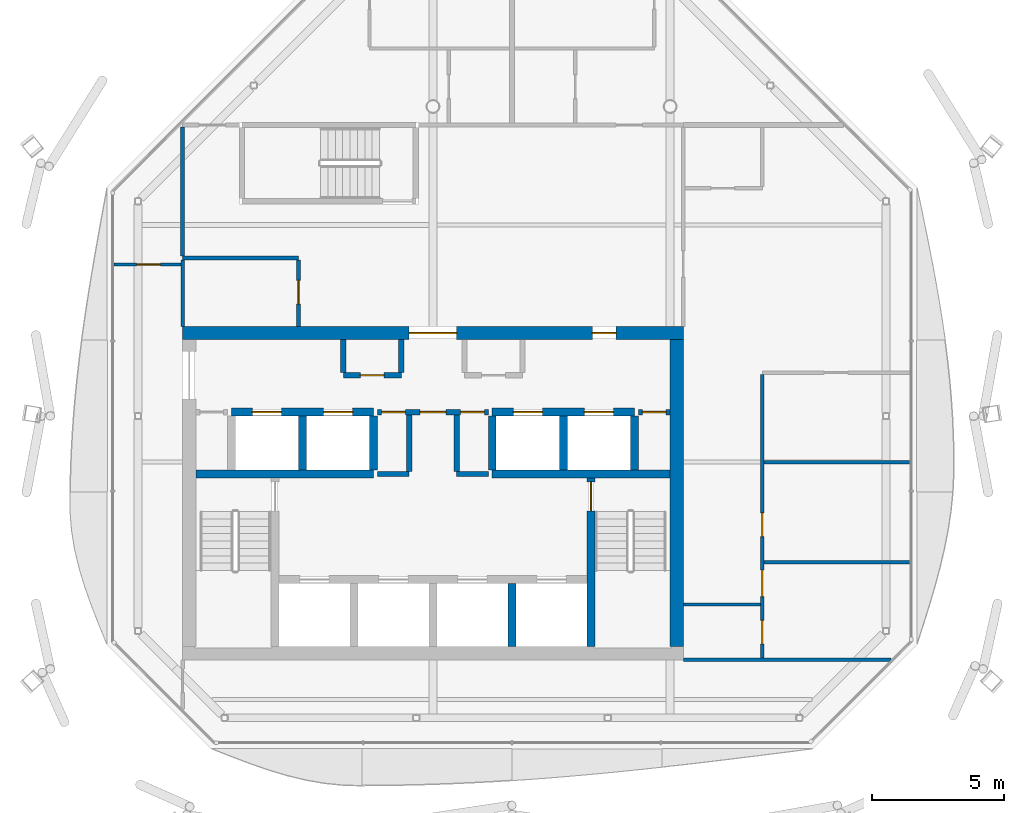
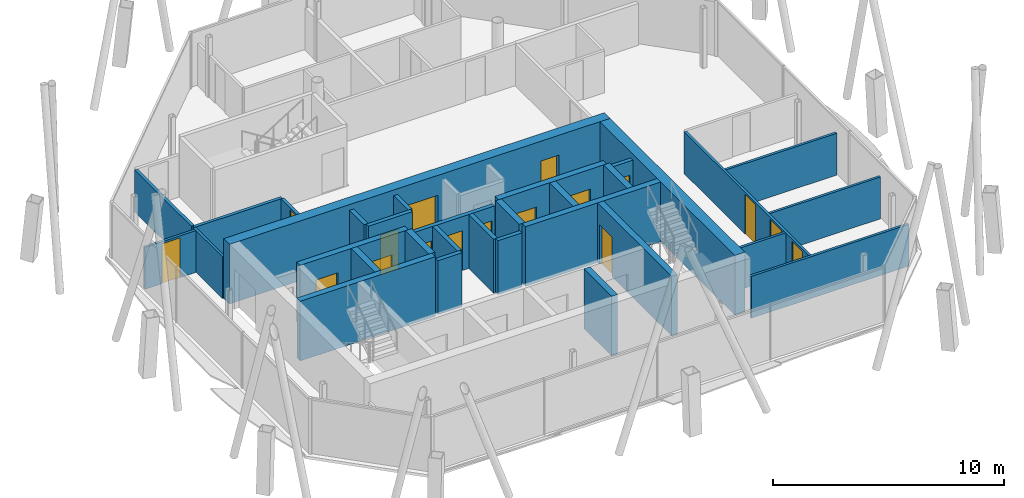
# One storey, part 10 of 14: 32 walls, 17 doors, 17 openings.
"""IFC4 building model written with IfcOpenShell, lengths in metres."""

from ifc_helpers import new_model, si_unit, direction, frame, frame_2d, origin, place, context, subcontext, project, spatial, rectangle, extrude, material, layer, layer_set, type_object, element, fill, save


model = new_model("IFC4")

# Units and contexts
model_context = context("Model", 3, precision=1e-05, world=origin(), true_north=direction((0.0, 1.0)))
body_context = subcontext(model_context, "Body", "Model", "MODEL_VIEW")
ifc_project = project(units=[si_unit("LENGTHUNIT", "METRE"), si_unit("AREAUNIT", "SQUARE_METRE"), si_unit("VOLUMEUNIT", "CUBIC_METRE"), si_unit("PLANEANGLEUNIT", "RADIAN"), si_unit("MASSUNIT", "GRAM", prefix="KILO")], contexts=[model_context])

# Site, building, storey
site_placement = place(None, origin())
site = spatial("IfcSite", under=ifc_project, at=site_placement, CompositionType="ELEMENT")
building_placement = place(site_placement, origin())
building = spatial("IfcBuilding", under=site, at=building_placement, Name="Tskaro Facet Tower", CompositionType="ELEMENT")
storey_placement = place(building_placement, frame((0.0, 0.0, 287.85009765625)))
storey = spatial("IfcBuildingStorey", under=building, at=storey_placement, Name="L77", CompositionType="ELEMENT", Elevation=287.85009765625)

# Walls
ifc_material_1 = material(Name="Concrete C60/75", Category="concrete")
ifc_layer_1 = layer(ifc_material_1, 0.300048828125, Name="Concrete C60/75")
ifc_layer_set_1 = layer_set([ifc_layer_1], Name="Concrete C60/75")
wall_type_1 = type_object("IfcWallType", Name="CORE-SHAFT", PredefinedType="SHEAR", material=ifc_layer_set_1)
for number, where, z_axis, x_axis, name in (
    (1, (-9.0, -4.949951171875, 0.0), (0.0, 0.0, 1.0), (1.0, 0.0, 0.0), "Shaft wall W005"),
    (2, (2.25, -4.949951171875, 0.0), (0.0, 0.0, 1.0), (1.0, 0.0, 0.0), "Shaft wall W008"),
):
    element("IfcWall", number, at=place(storey_placement, frame(where, z_axis=z_axis, x_axis=x_axis)), inside=storey, type_object=wall_type_1, Name=name, PredefinedType="SHEAR", context=body_context, shape_type="SweptSolid", body=[
        extrude(rectangle(XDim=6.75, YDim=0.300048828125, at=frame_2d((3.375, 0.0))), origin(), (0.0, 0.0, 1.0), 3.14990234375),
    ])

# Wall, openings, doors
wall_1_placement = place(storey_placement, frame((-7.64990234375, -2.60009765625, 0.0), z_axis=(0.0, 0.0, 1.0), x_axis=(1.0, 0.0, 0.0)))
wall_1 = element("IfcWall", 3, at=wall_1_placement, inside=storey, type_object=wall_type_1, Name="Shaft wall W011", PredefinedType="SHEAR", context=body_context, shape_type="SweptSolid", body=[
    extrude(rectangle(XDim=5.39990234375, YDim=0.300048828125, at=frame_2d((2.699951171875, 0.0))), origin(), (0.0, 0.0, 1.0), 3.14990234375),
])
opening_1_placement = place(wall_1_placement, frame((0.800048828125, 0.0, 0.0)))
opening_1 = element("IfcOpeningElement", 4, at=opening_1_placement, cuts=wall_1, Name="Opening LD-HB1", PredefinedType="OPENING", context=body_context, shape_type="SweptSolid", body=[
    extrude(rectangle(XDim=1.10009765625, YDim=2.10009765625, at=frame_2d((0.550048828125, 1.050048828125))), frame((0.0, 0.159912109375, 0.0), z_axis=(0.0, -1.0, 0.0), x_axis=(1.0, 0.0, 0.0)), (0.0, 0.0, 1.0), 0.320068359375),
])
opening_2_placement = place(wall_1_placement, frame((3.5, 0.0, 0.0)))
opening_2 = element("IfcOpeningElement", 5, at=opening_2_placement, cuts=wall_1, Name="Opening LD-HB2", PredefinedType="OPENING", context=body_context, shape_type="SweptSolid", body=[
    extrude(rectangle(XDim=1.10009765625, YDim=2.10009765625, at=frame_2d((0.550048828125, 1.050048828125))), frame((0.0, 0.159912109375, 0.0), z_axis=(0.0, -1.0, 0.0), x_axis=(1.0, 0.0, 0.0)), (0.0, 0.0, 1.0), 0.320068359375),
])
ifc_material_2 = material(Name="Stainless steel", Category="steel")
door_type_1 = type_object("IfcDoorType", Name="D-LANDING", OperationType="NOTDEFINED", PredefinedType="DOOR", material=ifc_material_2)
door_1_placement = place(opening_1_placement, origin())
door_1 = element("IfcDoor", 6, at=door_1_placement, inside=storey, type_object=door_type_1, Name="Landing door HB1", OperationType="DOUBLE_DOOR_SLIDING", OverallHeight=2.10009765625, OverallWidth=1.10009765625, PredefinedType="DOOR", context=body_context, shape_type="SweptSolid", body=[
    extrude(rectangle(XDim=1.10009765625, YDim=2.10009765625, at=frame_2d((0.550048828125, 1.050048828125))), frame((0.0, 0.02490234375, 0.0), z_axis=(0.0, -1.0, 0.0), x_axis=(1.0, 0.0, 0.0)), (0.0, 0.0, 1.0), 0.050048828125),
])
fill(opening_1, door_1)
door_2_placement = place(opening_2_placement, origin())
door_2 = element("IfcDoor", 7, at=door_2_placement, inside=storey, type_object=door_type_1, Name="Landing door HB2", OperationType="DOUBLE_DOOR_SLIDING", OverallHeight=2.10009765625, OverallWidth=1.10009765625, PredefinedType="DOOR", context=body_context, shape_type="SweptSolid", body=[
    extrude(rectangle(XDim=1.10009765625, YDim=2.10009765625, at=frame_2d((0.550048828125, 1.050048828125))), frame((0.0, 0.02490234375, 0.0), z_axis=(0.0, -1.0, 0.0), x_axis=(1.0, 0.0, 0.0)), (0.0, 0.0, 1.0), 0.050048828125),
])
fill(opening_2, door_2)

wall_2_placement = place(storey_placement, frame((2.25, -2.60009765625, 0.0), z_axis=(0.0, 0.0, 1.0), x_axis=(1.0, 0.0, 0.0)))
wall_2 = element("IfcWall", 8, at=wall_2_placement, inside=storey, type_object=wall_type_1, Name="Shaft wall W013", PredefinedType="SHEAR", context=body_context, shape_type="SweptSolid", body=[
    extrude(rectangle(XDim=5.39990234375, YDim=0.300048828125, at=frame_2d((2.699951171875, 0.0))), origin(), (0.0, 0.0, 1.0), 3.14990234375),
])
opening_3_placement = place(wall_2_placement, frame((0.800048828125, 0.0, 0.0)))
opening_3 = element("IfcOpeningElement", 9, at=opening_3_placement, cuts=wall_2, Name="Opening LD-HB3", PredefinedType="OPENING", context=body_context, shape_type="SweptSolid", body=[
    extrude(rectangle(XDim=1.10009765625, YDim=2.10009765625, at=frame_2d((0.550048828125, 1.050048828125))), frame((0.0, 0.159912109375, 0.0), z_axis=(0.0, -1.0, 0.0), x_axis=(1.0, 0.0, 0.0)), (0.0, 0.0, 1.0), 0.320068359375),
])
opening_4_placement = place(wall_2_placement, frame((3.5, 0.0, 0.0)))
opening_4 = element("IfcOpeningElement", 10, at=opening_4_placement, cuts=wall_2, Name="Opening LD-HB4", PredefinedType="OPENING", context=body_context, shape_type="SweptSolid", body=[
    extrude(rectangle(XDim=1.10009765625, YDim=2.10009765625, at=frame_2d((0.550048828125, 1.050048828125))), frame((0.0, 0.159912109375, 0.0), z_axis=(0.0, -1.0, 0.0), x_axis=(1.0, 0.0, 0.0)), (0.0, 0.0, 1.0), 0.320068359375),
])
door_3_placement = place(opening_3_placement, origin())
door_3 = element("IfcDoor", 11, at=door_3_placement, inside=storey, type_object=door_type_1, Name="Landing door HB3", OperationType="DOUBLE_DOOR_SLIDING", OverallHeight=2.10009765625, OverallWidth=1.10009765625, PredefinedType="DOOR", context=body_context, shape_type="SweptSolid", body=[
    extrude(rectangle(XDim=1.10009765625, YDim=2.10009765625, at=frame_2d((0.550048828125, 1.050048828125))), frame((0.0, 0.02490234375, 0.0), z_axis=(0.0, -1.0, 0.0), x_axis=(1.0, 0.0, 0.0)), (0.0, 0.0, 1.0), 0.050048828125),
])
fill(opening_3, door_3)
door_4_placement = place(opening_4_placement, origin())
door_4 = element("IfcDoor", 12, at=door_4_placement, inside=storey, type_object=door_type_1, Name="Landing door HB4", OperationType="DOUBLE_DOOR_SLIDING", OverallHeight=2.10009765625, OverallWidth=1.10009765625, PredefinedType="DOOR", context=body_context, shape_type="SweptSolid", body=[
    extrude(rectangle(XDim=1.10009765625, YDim=2.10009765625, at=frame_2d((0.550048828125, 1.050048828125))), frame((0.0, 0.02490234375, 0.0), z_axis=(0.0, -1.0, 0.0), x_axis=(1.0, 0.0, 0.0)), (0.0, 0.0, 1.0), 0.050048828125),
])
fill(opening_4, door_4)

# Walls
for number, where, z_axis, x_axis, name in (
    (13, (-4.949951171875, -4.800048828125, 0.0), (0.0, 0.0, 1.0), (0.0, 1.0, 0.0), "Shaft wall W034"),
    (14, (-2.25, -4.800048828125, 0.0), (0.0, 0.0, 1.0), (0.0, 1.0, 0.0), "Shaft wall W039"),
    (15, (2.25, -4.800048828125, 0.0), (0.0, 0.0, 1.0), (0.0, 1.0, 0.0), "Shaft wall W047"),
):
    element("IfcWall", number, at=place(storey_placement, frame(where, z_axis=z_axis, x_axis=x_axis)), inside=storey, type_object=wall_type_1, Name=name, PredefinedType="SHEAR", context=body_context, shape_type="SweptSolid", body=[
        extrude(rectangle(XDim=2.050048828125, YDim=0.300048828125, at=frame_2d((1.02490234375, 0.0))), origin(), (0.0, 0.0, 1.0), 3.14990234375),
    ])
wall_3_placement = place(storey_placement, frame((3.0, -11.5, 0.0), z_axis=(0.0, 0.0, 1.0), x_axis=(0.0, 1.0, 0.0)))
element("IfcWall", 16, at=wall_3_placement, inside=storey, type_object=wall_type_1, Name="Shaft wall W048", PredefinedType="SHEAR", context=body_context, shape_type="SweptSolid", body=[
    extrude(rectangle(XDim=2.39990234375, YDim=0.300048828125, at=frame_2d((1.199951171875, 0.0))), origin(), (0.0, 0.0, 1.0), 3.14990234375),
])
wall_4_placement = place(storey_placement, frame((4.949951171875, -4.800048828125, 0.0), z_axis=(0.0, 0.0, 1.0), x_axis=(0.0, 1.0, 0.0)))
element("IfcWall", 17, at=wall_4_placement, inside=storey, type_object=wall_type_1, Name="Shaft wall W052", PredefinedType="SHEAR", context=body_context, shape_type="SweptSolid", body=[
    extrude(rectangle(XDim=2.050048828125, YDim=0.300048828125, at=frame_2d((1.02490234375, 0.0))), origin(), (0.0, 0.0, 1.0), 3.14990234375),
])

# Wall, opening, door
wall_5_placement = place(storey_placement, frame((6.0, -5.10009765625, 0.0), z_axis=(0.0, 0.0, 1.0), x_axis=(0.0, -1.0, 0.0)))
wall_5 = element("IfcWall", 18, at=wall_5_placement, inside=storey, type_object=wall_type_1, Name="Shaft wall W054", PredefinedType="SHEAR", context=body_context, shape_type="SweptSolid", body=[
    extrude(rectangle(XDim=6.39990234375, YDim=0.300048828125, at=frame_2d((3.199951171875, 0.0))), origin(), (0.0, 0.0, 1.0), 3.14990234375),
])
opening_5_placement = place(wall_5_placement, frame((0.14990234375, 0.0, 0.0)))
opening_5 = element("IfcOpeningElement", 19, at=opening_5_placement, cuts=wall_5, Name="Opening ST-2-D1", PredefinedType="OPENING", context=body_context, shape_type="SweptSolid", body=[
    extrude(rectangle(XDim=1.10009765625, YDim=2.10009765625, at=frame_2d((0.550048828125, 1.050048828125))), frame((0.0, 0.159912109375, 0.0), z_axis=(0.0, -1.0, 0.0), x_axis=(1.0, 0.0, 0.0)), (0.0, 0.0, 1.0), 0.320068359375),
])
ifc_material_3 = material(Name="Steel", Category="steel")
door_type_2 = type_object("IfcDoorType", Name="D-STAIR", OperationType="NOTDEFINED", PredefinedType="DOOR", material=ifc_material_3)
door_5_placement = place(opening_5_placement, origin())
door_5 = element("IfcDoor", 20, at=door_5_placement, inside=storey, type_object=door_type_2, Name="Stair door 2", OperationType="SINGLE_SWING_RIGHT", OverallHeight=2.10009765625, OverallWidth=1.10009765625, PredefinedType="DOOR", context=body_context, shape_type="SweptSolid", body=[
    extrude(rectangle(XDim=1.10009765625, YDim=2.10009765625, at=frame_2d((0.550048828125, 1.050048828125))), frame((0.0, 0.02490234375, 0.0), z_axis=(0.0, -1.0, 0.0), x_axis=(1.0, 0.0, 0.0)), (0.0, 0.0, 1.0), 0.050048828125),
])
fill(opening_5, door_5)

# Walls
wall_6_placement = place(storey_placement, frame((7.64990234375, -4.800048828125, 0.0), z_axis=(0.0, 0.0, 1.0), x_axis=(0.0, 1.0, 0.0)))
element("IfcWall", 21, at=wall_6_placement, inside=storey, type_object=wall_type_1, Name="Shaft wall W055", PredefinedType="SHEAR", context=body_context, shape_type="SweptSolid", body=[
    extrude(rectangle(XDim=2.050048828125, YDim=0.300048828125, at=frame_2d((1.02490234375, 0.0))), origin(), (0.0, 0.0, 1.0), 3.14990234375),
])
ifc_material_4 = material(Name="Concrete C20/25", Category="concrete")
ifc_layer_2 = layer(ifc_material_4, 0.199951171875, Name="Concrete C20/25")
ifc_layer_set_2 = layer_set([ifc_layer_2], Name="Concrete C20/25")
wall_type_2 = type_object("IfcWallType", Name="CORE-WALL", PredefinedType="SOLIDWALL", material=ifc_layer_set_2)
for number, where, z_axis, x_axis, name in (
    (22, (-2.10009765625, -4.949951171875, 0.0), (0.0, 0.0, 1.0), (1.0, 0.0, 0.0), "Core room wall W006"),
    (23, (0.89990234375, -4.949951171875, 0.0), (0.0, 0.0, 1.0), (1.0, 0.0, 0.0), "Core room wall W007"),
):
    element("IfcWall", number, at=place(storey_placement, frame(where, z_axis=z_axis, x_axis=x_axis)), inside=storey, type_object=wall_type_2, Name=name, PredefinedType="SOLIDWALL", context=body_context, shape_type="SweptSolid", body=[
        extrude(rectangle(XDim=1.2001953125, YDim=0.199951171875, at=frame_2d((0.60009765625, 0.0))), origin(), (0.0, 0.0, 1.0), 2.849853515625),
    ])

# Wall, openings, doors
wall_7_placement = place(storey_placement, frame((2.10009765625, -2.60009765625, 0.0), z_axis=(0.0, 0.0, 1.0), x_axis=(-1.0, 0.0, 0.0)))
wall_7 = element("IfcWall", 24, at=wall_7_placement, inside=storey, type_object=wall_type_2, Name="Core room wall W012", PredefinedType="SOLIDWALL", context=body_context, shape_type="SweptSolid", body=[
    extrude(rectangle(XDim=4.2001953125, YDim=0.199951171875, at=frame_2d((2.10009765625, 0.0))), origin(), (0.0, 0.0, 1.0), 2.849853515625),
])
opening_6_placement = place(wall_7_placement, frame((1.60009765625, 0.0, 0.0)))
opening_6 = element("IfcOpeningElement", 25, at=opening_6_placement, cuts=wall_7, Name="Opening FL-D1", PredefinedType="OPENING", context=body_context, shape_type="SweptSolid", body=[
    extrude(rectangle(XDim=1.0, YDim=2.10009765625, at=frame_2d((0.5, 1.050048828125))), frame((0.0, 0.10986328125, 0.0), z_axis=(0.0, -1.0, 0.0), x_axis=(1.0, 0.0, 0.0)), (0.0, 0.0, 1.0), 0.219970703125),
])
opening_7_placement = place(wall_7_placement, frame((3.14990234375, 0.0, 0.0)))
opening_7 = element("IfcOpeningElement", 26, at=opening_7_placement, cuts=wall_7, Name="Opening T23-D06", PredefinedType="OPENING", context=body_context, shape_type="SweptSolid", body=[
    extrude(rectangle(XDim=0.89990234375, YDim=2.10009765625, at=frame_2d((0.449951171875, 1.050048828125))), frame((0.0, 0.10986328125, 0.0), z_axis=(0.0, -1.0, 0.0), x_axis=(1.0, 0.0, 0.0)), (0.0, 0.0, 1.0), 0.219970703125),
])
opening_8_placement = place(wall_7_placement, frame((0.14990234375, 0.0, 0.0)))
opening_8 = element("IfcOpeningElement", 27, at=opening_8_placement, cuts=wall_7, Name="Opening T23-D07", PredefinedType="OPENING", context=body_context, shape_type="SweptSolid", body=[
    extrude(rectangle(XDim=0.89990234375, YDim=2.10009765625, at=frame_2d((0.449951171875, 1.050048828125))), frame((0.0, 0.10986328125, 0.0), z_axis=(0.0, -1.0, 0.0), x_axis=(1.0, 0.0, 0.0)), (0.0, 0.0, 1.0), 0.219970703125),
])
door_type_3 = type_object("IfcDoorType", Name="D-LOBBY", OperationType="NOTDEFINED", PredefinedType="DOOR", material=ifc_material_3)
door_6_placement = place(opening_6_placement, origin())
door_6 = element("IfcDoor", 28, at=door_6_placement, inside=storey, type_object=door_type_3, Name="Lobby door FL", OperationType="SINGLE_SWING_RIGHT", OverallHeight=2.10009765625, OverallWidth=1.0, PredefinedType="DOOR", context=body_context, shape_type="SweptSolid", body=[
    extrude(rectangle(XDim=1.0, YDim=2.10009765625, at=frame_2d((0.5, 1.050048828125))), frame((0.0, 0.02490234375, 0.0), z_axis=(0.0, -1.0, 0.0), x_axis=(1.0, 0.0, 0.0)), (0.0, 0.0, 1.0), 0.050048828125),
])
fill(opening_6, door_6)
ifc_material_5 = material(Name="Timber", Category="wood")
door_type_4 = type_object("IfcDoorType", Name="D-ROOM", OperationType="NOTDEFINED", PredefinedType="DOOR", material=ifc_material_5)
door_7_placement = place(opening_7_placement, origin())
door_7 = element("IfcDoor", 29, at=door_7_placement, inside=storey, type_object=door_type_4, Name="Door T23-D06", OperationType="SINGLE_SWING_RIGHT", OverallHeight=2.10009765625, OverallWidth=0.89990234375, PredefinedType="DOOR", context=body_context, shape_type="SweptSolid", body=[
    extrude(rectangle(XDim=0.89990234375, YDim=2.10009765625, at=frame_2d((0.449951171875, 1.050048828125))), frame((0.0, 0.02490234375, 0.0), z_axis=(0.0, -1.0, 0.0), x_axis=(1.0, 0.0, 0.0)), (0.0, 0.0, 1.0), 0.050048828125),
])
fill(opening_7, door_7)
door_8_placement = place(opening_8_placement, origin())
door_8 = element("IfcDoor", 30, at=door_8_placement, inside=storey, type_object=door_type_4, Name="Door T23-D07", OperationType="SINGLE_SWING_RIGHT", OverallHeight=2.10009765625, OverallWidth=0.89990234375, PredefinedType="DOOR", context=body_context, shape_type="SweptSolid", body=[
    extrude(rectangle(XDim=0.89990234375, YDim=2.10009765625, at=frame_2d((0.449951171875, 1.050048828125))), frame((0.0, 0.02490234375, 0.0), z_axis=(0.0, -1.0, 0.0), x_axis=(1.0, 0.0, 0.0)), (0.0, 0.0, 1.0), 0.050048828125),
])
fill(opening_8, door_8)

# Wall, opening, door
wall_8_placement = place(storey_placement, frame((9.0, -2.60009765625, 0.0), z_axis=(0.0, 0.0, 1.0), x_axis=(-1.0, 0.0, 0.0)))
wall_8 = element("IfcWall", 31, at=wall_8_placement, inside=storey, type_object=wall_type_2, Name="Core room wall W014", PredefinedType="SOLIDWALL", context=body_context, shape_type="SweptSolid", body=[
    extrude(rectangle(XDim=1.199951171875, YDim=0.199951171875, at=frame_2d((0.60009765625, 0.0))), origin(), (0.0, 0.0, 1.0), 2.849853515625),
])
opening_9_placement = place(wall_8_placement, frame((0.14990234375, 0.0, 0.0)))
opening_9 = element("IfcOpeningElement", 32, at=opening_9_placement, cuts=wall_8, Name="Opening T23-D08", PredefinedType="OPENING", context=body_context, shape_type="SweptSolid", body=[
    extrude(rectangle(XDim=0.89990234375, YDim=2.10009765625, at=frame_2d((0.449951171875, 1.050048828125))), frame((0.0, 0.10986328125, 0.0), z_axis=(0.0, -1.0, 0.0), x_axis=(1.0, 0.0, 0.0)), (0.0, 0.0, 1.0), 0.219970703125),
])
door_9_placement = place(opening_9_placement, origin())
door_9 = element("IfcDoor", 33, at=door_9_placement, inside=storey, type_object=door_type_4, Name="Door T23-D08", OperationType="SINGLE_SWING_RIGHT", OverallHeight=2.10009765625, OverallWidth=0.89990234375, PredefinedType="DOOR", context=body_context, shape_type="SweptSolid", body=[
    extrude(rectangle(XDim=0.89990234375, YDim=2.10009765625, at=frame_2d((0.449951171875, 1.050048828125))), frame((0.0, 0.02490234375, 0.0), z_axis=(0.0, -1.0, 0.0), x_axis=(1.0, 0.0, 0.0)), (0.0, 0.0, 1.0), 0.050048828125),
])
fill(opening_9, door_9)

wall_9_placement = place(storey_placement, frame((-3.39990234375, -1.199951171875, 0.0), z_axis=(0.0, 0.0, 1.0), x_axis=(1.0, 0.0, 0.0)))
wall_9 = element("IfcWall", 34, at=wall_9_placement, inside=storey, type_object=wall_type_2, Name="Core room wall W015", PredefinedType="SOLIDWALL", context=body_context, shape_type="SweptSolid", body=[
    extrude(rectangle(XDim=2.199951171875, YDim=0.199951171875, at=frame_2d((1.10009765625, 0.0))), origin(), (0.0, 0.0, 1.0), 2.849853515625),
])
opening_10_placement = place(wall_9_placement, frame((0.64990234375, 0.0, 0.0)))
opening_10 = element("IfcOpeningElement", 35, at=opening_10_placement, cuts=wall_9, Name="Opening T23-D10", PredefinedType="OPENING", context=body_context, shape_type="SweptSolid", body=[
    extrude(rectangle(XDim=0.89990234375, YDim=2.10009765625, at=frame_2d((0.449951171875, 1.050048828125))), frame((0.0, 0.10986328125, 0.0), z_axis=(0.0, -1.0, 0.0), x_axis=(1.0, 0.0, 0.0)), (0.0, 0.0, 1.0), 0.219970703125),
])
door_10_placement = place(opening_10_placement, origin())
door_10 = element("IfcDoor", 36, at=door_10_placement, inside=storey, type_object=door_type_4, Name="Door T23-D10", OperationType="SINGLE_SWING_LEFT", OverallHeight=2.10009765625, OverallWidth=0.89990234375, PredefinedType="DOOR", context=body_context, shape_type="SweptSolid", body=[
    extrude(rectangle(XDim=0.89990234375, YDim=2.10009765625, at=frame_2d((0.449951171875, 1.050048828125))), frame((0.0, 0.02490234375, 0.0), z_axis=(0.0, -1.0, 0.0), x_axis=(1.0, 0.0, 0.0)), (0.0, 0.0, 1.0), 0.050048828125),
])
fill(opening_10, door_10)

# Walls
for number, where, z_axis, x_axis, name in (
    (37, (-3.39990234375, -1.10009765625, 0.0), (0.0, 0.0, 1.0), (0.0, 1.0, 0.0), "Core room wall W035"),
    (38, (-1.199951171875, -1.10009765625, 0.0), (0.0, 0.0, 1.0), (0.0, 1.0, 0.0), "Core room wall W040"),
):
    element("IfcWall", number, at=place(storey_placement, frame(where, z_axis=z_axis, x_axis=x_axis)), inside=storey, type_object=wall_type_2, Name=name, PredefinedType="SOLIDWALL", context=body_context, shape_type="SweptSolid", body=[
        extrude(rectangle(XDim=1.25, YDim=0.199951171875, at=frame_2d((0.625, 0.0))), origin(), (0.0, 0.0, 1.0), 2.849853515625),
    ])
for number, where, z_axis, x_axis, name in (
    (39, (-0.89990234375, -4.85009765625, 0.0), (0.0, 0.0, 1.0), (0.0, 1.0, 0.0), "Core room wall W041"),
    (40, (0.89990234375, -4.85009765625, 0.0), (0.0, 0.0, 1.0), (0.0, 1.0, 0.0), "Core room wall W045"),
):
    element("IfcWall", number, at=place(storey_placement, frame(where, z_axis=z_axis, x_axis=x_axis)), inside=storey, type_object=wall_type_2, Name=name, PredefinedType="SOLIDWALL", context=body_context, shape_type="SweptSolid", body=[
        extrude(rectangle(XDim=2.150146484375, YDim=0.199951171875, at=frame_2d((1.0751953125, 0.0))), origin(), (0.0, 0.0, 1.0), 2.849853515625),
    ])

# Wall, openings, doors
ifc_material_6 = material(Name="Concrete C40/50", Category="concrete")
ifc_layer_3 = layer(ifc_material_6, 0.5, Name="Concrete C40/50")
ifc_layer_set_3 = layer_set([ifc_layer_3], Name="Concrete C40/50")
wall_type_3 = type_object("IfcWallType", Name="Core wall 500", PredefinedType="SHEAR", material=ifc_layer_set_3)
wall_10_placement = place(storey_placement, frame((-9.5, 0.39990234375, 0.0), z_axis=(0.0, 0.0, 1.0), x_axis=(1.0, 0.0, 0.0)))
wall_10 = element("IfcWall", 41, at=wall_10_placement, inside=storey, type_object=wall_type_3, Name="Core wall CW-Z3N", PredefinedType="SHEAR", context=body_context, shape_type="SweptSolid", body=[
    extrude(rectangle(XDim=19.0, YDim=0.5, at=frame_2d((9.5, 0.0))), origin(), (0.0, 0.0, 1.0), 3.14990234375),
])
opening_11_placement = place(wall_10_placement, frame((8.60009765625, 0.0, 0.0)))
opening_11 = element("IfcOpeningElement", 42, at=opening_11_placement, cuts=wall_10, Name="Opening T23-D13", PredefinedType="OPENING", context=body_context, shape_type="SweptSolid", body=[
    extrude(rectangle(XDim=1.800048828125, YDim=2.10009765625, at=frame_2d((0.89990234375, 1.050048828125))), frame((0.0, 0.260009765625, 0.0), z_axis=(0.0, -1.0, 0.0), x_axis=(1.0, 0.0, 0.0)), (0.0, 0.0, 1.0), 0.52001953125),
])
opening_12_placement = place(wall_10_placement, frame((15.550048828125, 0.0, 0.0)))
opening_12 = element("IfcOpeningElement", 43, at=opening_12_placement, cuts=wall_10, Name="Opening T23-D14", PredefinedType="OPENING", context=body_context, shape_type="SweptSolid", body=[
    extrude(rectangle(XDim=0.89990234375, YDim=2.10009765625, at=frame_2d((0.449951171875, 1.050048828125))), frame((0.0, 0.260009765625, 0.0), z_axis=(0.0, -1.0, 0.0), x_axis=(1.0, 0.0, 0.0)), (0.0, 0.0, 1.0), 0.52001953125),
])
door_type_5 = type_object("IfcDoorType", Name="D-CORE-PAIR", OperationType="NOTDEFINED", PredefinedType="DOOR", material=ifc_material_3)
door_11_placement = place(opening_11_placement, origin())
door_11 = element("IfcDoor", 44, at=door_11_placement, inside=storey, type_object=door_type_5, Name="Door T23-D13", OperationType="DOUBLE_DOOR_SINGLE_SWING", OverallHeight=2.10009765625, OverallWidth=1.800048828125, PredefinedType="DOOR", context=body_context, shape_type="SweptSolid", body=[
    extrude(rectangle(XDim=1.800048828125, YDim=2.10009765625, at=frame_2d((0.89990234375, 1.050048828125))), frame((0.0, 0.02490234375, 0.0), z_axis=(0.0, -1.0, 0.0), x_axis=(1.0, 0.0, 0.0)), (0.0, 0.0, 1.0), 0.050048828125),
])
fill(opening_11, door_11)
door_12_placement = place(opening_12_placement, origin())
door_12 = element("IfcDoor", 45, at=door_12_placement, inside=storey, type_object=door_type_4, Name="Door T23-D14", OperationType="SINGLE_SWING_LEFT", OverallHeight=2.10009765625, OverallWidth=0.89990234375, PredefinedType="DOOR", context=body_context, shape_type="SweptSolid", body=[
    extrude(rectangle(XDim=0.89990234375, YDim=2.10009765625, at=frame_2d((0.449951171875, 1.050048828125))), frame((0.0, 0.02490234375, 0.0), z_axis=(0.0, -1.0, 0.0), x_axis=(1.0, 0.0, 0.0)), (0.0, 0.0, 1.0), 0.050048828125),
])
fill(opening_12, door_12)

# Walls
wall_11_placement = place(storey_placement, frame((9.25, -11.5, 0.0), z_axis=(0.0, 0.0, 1.0), x_axis=(0.0, 1.0, 0.0)))
element("IfcWall", 46, at=wall_11_placement, inside=storey, type_object=wall_type_3, Name="Core wall CW-Z3E", PredefinedType="SHEAR", context=body_context, shape_type="SweptSolid", body=[
    extrude(rectangle(XDim=11.64990234375, YDim=0.5, at=frame_2d((5.824951171875, 0.0))), origin(), (0.0, 0.0, 1.0), 3.14990234375),
])
ifc_material_7 = material(Name="Gypsum board on steel studs", Category="steel")
ifc_layer_4 = layer(ifc_material_7, 0.125, Name="Gypsum board on steel studs")
ifc_layer_set_4 = layer_set([ifc_layer_4], Name="Gypsum board on steel studs")
wall_type_4 = type_object("IfcWallType", Name="PART", PredefinedType="PARTITIONING", material=ifc_layer_set_4)
wall_12_placement = place(storey_placement, frame((9.5, -12.0, 0.0), z_axis=(0.0, 0.0, 1.0), x_axis=(1.0, 0.0, 0.0)))
element("IfcWall", 47, at=wall_12_placement, inside=storey, type_object=wall_type_4, Name="Partition W001", PredefinedType="PARTITIONING", context=body_context, shape_type="SweptSolid", body=[
    extrude(rectangle(XDim=7.8759765625, YDim=0.125, at=frame_2d((3.93798828125, 0.0))), origin(), (0.0, 0.0, 1.0), 2.2099609375),
])
wall_13_placement = place(storey_placement, frame((9.5, -9.89990234375, 0.0), z_axis=(0.0, 0.0, 1.0), x_axis=(1.0, 0.0, 0.0)))
element("IfcWall", 48, at=wall_13_placement, inside=storey, type_object=wall_type_4, Name="Partition W002", PredefinedType="PARTITIONING", context=body_context, shape_type="SweptSolid", body=[
    extrude(rectangle(XDim=2.9375, YDim=0.125, at=frame_2d((1.46875, 0.0))), origin(), (0.0, 0.0, 1.0), 2.2099609375),
])
for number, where, z_axis, x_axis, name in (
    (49, (12.5625, -8.300048828125, 0.0), (0.0, 0.0, 1.0), (1.0, 0.0, 0.0), "Partition W004"),
    (50, (12.5625, -4.5, 0.0), (0.0, 0.0, 1.0), (1.0, 0.0, 0.0), "Partition W009"),
):
    element("IfcWall", number, at=place(storey_placement, frame(where, z_axis=z_axis, x_axis=x_axis)), inside=storey, type_object=wall_type_4, Name=name, PredefinedType="PARTITIONING", context=body_context, shape_type="SweptSolid", body=[
        extrude(rectangle(XDim=5.53759765625, YDim=0.125, at=frame_2d((2.768798828125, 0.0))), origin(), (0.0, 0.0, 1.0), 2.2099609375),
    ])

# Wall, opening, door
wall_14_placement = place(storey_placement, frame((-12.10009765625, 3.0, 0.0), z_axis=(0.0, 0.0, 1.0), x_axis=(1.0, 0.0, 0.0)))
wall_14 = element("IfcWall", 51, at=wall_14_placement, inside=storey, type_object=wall_type_4, Name="Partition W018", PredefinedType="PARTITIONING", context=body_context, shape_type="SweptSolid", body=[
    extrude(rectangle(XDim=2.53759765625, YDim=0.125, at=frame_2d((1.268798828125, 0.0))), origin(), (0.0, 0.0, 1.0), 2.2099609375),
])
opening_13_placement = place(wall_14_placement, frame((0.85009765625, 0.0, 0.0)))
opening_13 = element("IfcOpeningElement", 52, at=opening_13_placement, cuts=wall_14, Name="Opening T23-D16", PredefinedType="OPENING", context=body_context, shape_type="SweptSolid", body=[
    extrude(rectangle(XDim=0.89990234375, YDim=2.10009765625, at=frame_2d((0.449951171875, 1.050048828125))), frame((0.0, 0.072509765625, 0.0), z_axis=(0.0, -1.0, 0.0), x_axis=(1.0, 0.0, 0.0)), (0.0, 0.0, 1.0), 0.14501953125),
])
door_13_placement = place(opening_13_placement, origin())
door_13 = element("IfcDoor", 53, at=door_13_placement, inside=storey, type_object=door_type_4, Name="Door T23-D16", OperationType="SINGLE_SWING_LEFT", OverallHeight=2.10009765625, OverallWidth=0.89990234375, PredefinedType="DOOR", context=body_context, shape_type="SweptSolid", body=[
    extrude(rectangle(XDim=0.89990234375, YDim=2.10009765625, at=frame_2d((0.449951171875, 1.050048828125))), frame((0.0, 0.02490234375, 0.0), z_axis=(0.0, -1.0, 0.0), x_axis=(1.0, 0.0, 0.0)), (0.0, 0.0, 1.0), 0.050048828125),
])
fill(opening_13, door_13)

# Wall
wall_15_placement = place(storey_placement, frame((-9.5, 0.64990234375, 0.0), z_axis=(0.0, 0.0, 1.0), x_axis=(0.0, 1.0, 0.0)))
element("IfcWall", 54, at=wall_15_placement, inside=storey, type_object=wall_type_4, Name="Partition W028", PredefinedType="PARTITIONING", context=body_context, shape_type="SweptSolid", body=[
    extrude(rectangle(XDim=2.525146484375, YDim=0.125, at=frame_2d((1.2626953125, 0.0))), origin(), (0.0, 0.0, 1.0), 2.2099609375),
])

# Wall, openings, doors
wall_16_placement = place(storey_placement, frame((12.5, -1.16259765625, 0.0), z_axis=(0.0, 0.0, 1.0), x_axis=(0.0, -1.0, 0.0)))
wall_16 = element("IfcWall", 55, at=wall_16_placement, inside=storey, type_object=wall_type_4, Name="Partition W059", PredefinedType="PARTITIONING", context=body_context, shape_type="SweptSolid", body=[
    extrude(rectangle(XDim=10.77490234375, YDim=0.125, at=frame_2d((5.387451171875, 0.0))), origin(), (0.0, 0.0, 1.0), 2.2099609375),
])
opening_14_placement = place(wall_16_placement, frame((5.260009765625, 0.0, 0.0)))
opening_14 = element("IfcOpeningElement", 56, at=opening_14_placement, cuts=wall_16, Name="Opening T23-D04", PredefinedType="OPENING", context=body_context, shape_type="SweptSolid", body=[
    extrude(rectangle(XDim=0.89990234375, YDim=2.10009765625, at=frame_2d((0.449951171875, 1.050048828125))), frame((0.0, 0.072509765625, 0.0), z_axis=(0.0, -1.0, 0.0), x_axis=(1.0, 0.0, 0.0)), (0.0, 0.0, 1.0), 0.14501953125),
])
opening_15_placement = place(wall_16_placement, frame((7.4375, 0.0, 0.0)))
opening_15 = element("IfcOpeningElement", 57, at=opening_15_placement, cuts=wall_16, Name="Opening T23-D03", PredefinedType="OPENING", context=body_context, shape_type="SweptSolid", body=[
    extrude(rectangle(XDim=1.0, YDim=2.10009765625, at=frame_2d((0.5, 1.050048828125))), frame((0.0, 0.072509765625, 0.0), z_axis=(0.0, -1.0, 0.0), x_axis=(1.0, 0.0, 0.0)), (0.0, 0.0, 1.0), 0.14501953125),
])
opening_16_placement = place(wall_16_placement, frame((9.33740234375, 0.0, 0.0)))
opening_16 = element("IfcOpeningElement", 58, at=opening_16_placement, cuts=wall_16, Name="Opening T23-D02", PredefinedType="OPENING", context=body_context, shape_type="SweptSolid", body=[
    extrude(rectangle(XDim=0.89990234375, YDim=2.10009765625, at=frame_2d((0.449951171875, 1.050048828125))), frame((0.0, 0.072509765625, 0.0), z_axis=(0.0, -1.0, 0.0), x_axis=(1.0, 0.0, 0.0)), (0.0, 0.0, 1.0), 0.14501953125),
])
door_14_placement = place(opening_14_placement, origin())
door_14 = element("IfcDoor", 59, at=door_14_placement, inside=storey, type_object=door_type_4, Name="Door T23-D04", OperationType="SINGLE_SWING_RIGHT", OverallHeight=2.10009765625, OverallWidth=0.89990234375, PredefinedType="DOOR", context=body_context, shape_type="SweptSolid", body=[
    extrude(rectangle(XDim=0.89990234375, YDim=2.10009765625, at=frame_2d((0.449951171875, 1.050048828125))), frame((0.0, 0.02490234375, 0.0), z_axis=(0.0, -1.0, 0.0), x_axis=(1.0, 0.0, 0.0)), (0.0, 0.0, 1.0), 0.050048828125),
])
fill(opening_14, door_14)
door_15_placement = place(opening_16_placement, origin())
door_15 = element("IfcDoor", 60, at=door_15_placement, inside=storey, type_object=door_type_4, Name="Door T23-D02", OperationType="SINGLE_SWING_LEFT", OverallHeight=2.10009765625, OverallWidth=0.89990234375, PredefinedType="DOOR", context=body_context, shape_type="SweptSolid", body=[
    extrude(rectangle(XDim=0.89990234375, YDim=2.10009765625, at=frame_2d((0.449951171875, 1.050048828125))), frame((0.0, 0.02490234375, 0.0), z_axis=(0.0, -1.0, 0.0), x_axis=(1.0, 0.0, 0.0)), (0.0, 0.0, 1.0), 0.050048828125),
])
fill(opening_16, door_15)
door_type_6 = type_object("IfcDoorType", Name="D-ROOM-WIDE", OperationType="NOTDEFINED", PredefinedType="DOOR", material=ifc_material_5)
door_16_placement = place(opening_15_placement, origin())
door_16 = element("IfcDoor", 61, at=door_16_placement, inside=storey, type_object=door_type_6, Name="Door T23-D03", OperationType="SINGLE_SWING_RIGHT", OverallHeight=2.10009765625, OverallWidth=1.0, PredefinedType="DOOR", context=body_context, shape_type="SweptSolid", body=[
    extrude(rectangle(XDim=1.0, YDim=2.10009765625, at=frame_2d((0.5, 1.050048828125))), frame((0.0, 0.02490234375, 0.0), z_axis=(0.0, -1.0, 0.0), x_axis=(1.0, 0.0, 0.0)), (0.0, 0.0, 1.0), 0.050048828125),
])
fill(opening_15, door_16)

# Walls
ifc_layer_5 = layer(ifc_material_7, 0.14990234375, Name="Gypsum board on steel studs")
ifc_layer_set_5 = layer_set([ifc_layer_5], Name="Gypsum board on steel studs")
wall_type_5 = type_object("IfcWallType", Name="PART-CORR", PredefinedType="PARTITIONING", material=ifc_layer_set_5)
wall_17_placement = place(storey_placement, frame((-9.5, 3.25, 0.0), z_axis=(0.0, 0.0, 1.0), x_axis=(1.0, 0.0, 0.0)))
element("IfcWall", 62, at=wall_17_placement, inside=storey, type_object=wall_type_5, Name="Corridor wall W019", PredefinedType="PARTITIONING", context=body_context, shape_type="SweptSolid", body=[
    extrude(rectangle(XDim=4.39990234375, YDim=0.14990234375, at=frame_2d((2.199951171875, 0.0))), origin(), (0.0, 0.0, 1.0), 2.2099609375),
])
wall_18_placement = place(storey_placement, frame((-9.5, 3.324951171875, 0.0), z_axis=(0.0, 0.0, 1.0), x_axis=(0.0, 1.0, 0.0)))
element("IfcWall", 63, at=wall_18_placement, inside=storey, type_object=wall_type_5, Name="Corridor wall W029", PredefinedType="PARTITIONING", context=body_context, shape_type="SweptSolid", body=[
    extrude(rectangle(XDim=4.900146484375, YDim=0.14990234375, at=frame_2d((2.4501953125, 0.0))), origin(), (0.0, 0.0, 1.0), 2.2099609375),
])

# Wall, opening, door
wall_19_placement = place(storey_placement, frame((-5.10009765625, 0.64990234375, 0.0), z_axis=(0.0, 0.0, 1.0), x_axis=(0.0, 1.0, 0.0)))
wall_19 = element("IfcWall", 64, at=wall_19_placement, inside=storey, type_object=wall_type_5, Name="Corridor wall W033", PredefinedType="PARTITIONING", context=body_context, shape_type="SweptSolid", body=[
    extrude(rectangle(XDim=2.525146484375, YDim=0.14990234375, at=frame_2d((1.2626953125, 0.0))), origin(), (0.0, 0.0, 1.0), 2.2099609375),
])
opening_17_placement = place(wall_19_placement, frame((0.85009765625, 0.0, 0.0)))
opening_17 = element("IfcOpeningElement", 65, at=opening_17_placement, cuts=wall_19, Name="Opening T23-D15", PredefinedType="OPENING", context=body_context, shape_type="SweptSolid", body=[
    extrude(rectangle(XDim=0.89990234375, YDim=2.10009765625, at=frame_2d((0.449951171875, 1.050048828125))), frame((0.0, 0.0849609375, 0.0), z_axis=(0.0, -1.0, 0.0), x_axis=(1.0, 0.0, 0.0)), (0.0, 0.0, 1.0), 0.169921875),
])
door_17_placement = place(opening_17_placement, origin())
door_17 = element("IfcDoor", 66, at=door_17_placement, inside=storey, type_object=door_type_4, Name="Door T23-D15", OperationType="SINGLE_SWING_LEFT", OverallHeight=2.10009765625, OverallWidth=0.89990234375, PredefinedType="DOOR", context=body_context, shape_type="SweptSolid", body=[
    extrude(rectangle(XDim=0.89990234375, YDim=2.10009765625, at=frame_2d((0.449951171875, 1.050048828125))), frame((0.0, 0.02490234375, 0.0), z_axis=(0.0, -1.0, 0.0), x_axis=(1.0, 0.0, 0.0)), (0.0, 0.0, 1.0), 0.050048828125),
])
fill(opening_17, door_17)

save(model, "model.ifc")
